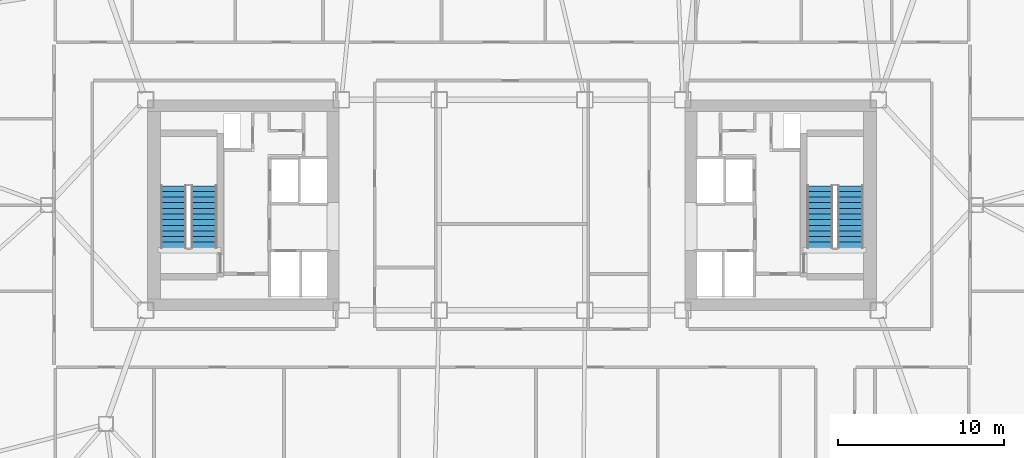
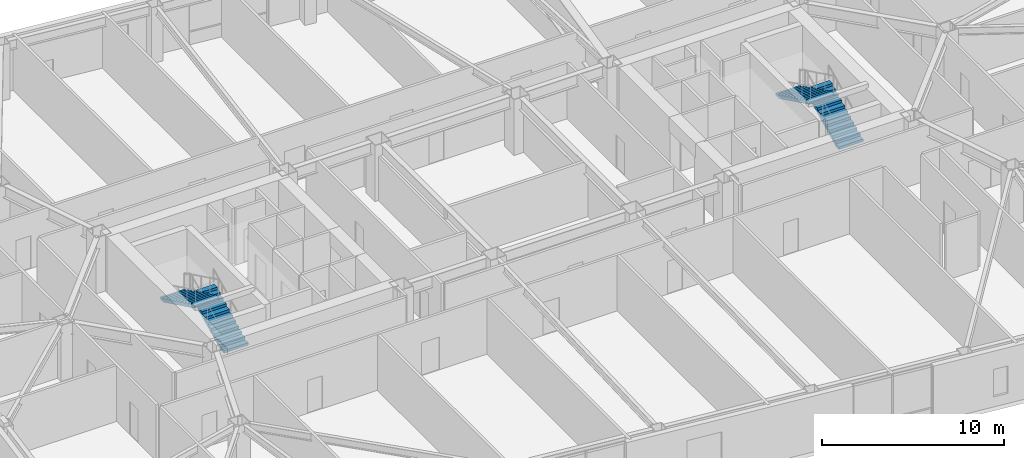
# One storey, part 18 of 23: 4 stair flights, 2 elements without a shape of their own.
"""IFC4 building model written with IfcOpenShell, lengths in metres."""

from ifc_helpers import new_model, si_unit, direction, frame, origin, place, context, subcontext, project, spatial, polyline, outline, extrude, material, type_object, element, aggregate, save


model = new_model("IFC4")

# Units and contexts
model_context = context("Model", 3, precision=1e-05, world=origin(), true_north=direction((0.0, 1.0)))
body_context = subcontext(model_context, "Body", "Model", "MODEL_VIEW")
ifc_project = project(units=[si_unit("LENGTHUNIT", "METRE"), si_unit("AREAUNIT", "SQUARE_METRE"), si_unit("VOLUMEUNIT", "CUBIC_METRE"), si_unit("PLANEANGLEUNIT", "RADIAN"), si_unit("MASSUNIT", "GRAM", prefix="KILO")], contexts=[model_context])

# Site, building, storey
site_placement = place(None, origin())
site = spatial("IfcSite", under=ifc_project, at=site_placement, CompositionType="ELEMENT")
building_placement = place(site_placement, origin())
building = spatial("IfcBuilding", under=site, at=building_placement, Name="Tavrogorsk Clinical Tower", CompositionType="ELEMENT")
storey_placement = place(building_placement, frame((0.0, 0.0, 113.39990234375)))
storey = spatial("IfcBuildingStorey", under=building, at=storey_placement, Name="L25", CompositionType="ELEMENT", Elevation=113.39990234375)

# Stair, stair flights
ifc_material_1 = material(Name="Concrete B60", Category="concrete")
stair_type = type_object("IfcStairType", Name="CoreStairAssembly", PredefinedType="HALF_TURN_STAIR", material=ifc_material_1)
stair_1_placement = place(storey_placement, origin())
stair_1 = element("IfcStair", 1, at=stair_1_placement, inside=storey, type_object=stair_type, Name="L25 ST-W", PredefinedType="HALF_TURN_STAIR")
ifc_material_2 = material(Name="Concrete B60", Category="concrete")
stair_flight_type = type_object("IfcStairFlightType", Name="CoreStairFlight", PredefinedType="STRAIGHT", material=ifc_material_2)
stair_flight_1_placement = place(storey_placement, frame((-18.574951171875, -2.574951171875, 0.0), z_axis=(0.0, 0.0, 1.0), x_axis=(0.0, 1.0, 0.0)))
stair_flight_1 = element("IfcStairFlight", 2, at=stair_flight_1_placement, type_object=stair_flight_type, Name="ST-W flight 1", NumberOfRisers=12, NumberOfTreads=11, PredefinedType="STRAIGHT", RiserHeight=0.166666667, TreadLength=0.34, context=body_context, shape_type="SweptSolid", body=[
    extrude(outline(polyline([(0.0, 0.0), (0.0, 0.166748046875), (0.340087890625, 0.166748046875), (0.340087890625, 0.333251953125), (0.679931640625, 0.333251953125), (0.679931640625, 0.5), (1.02001953125, 0.5), (1.02001953125, 0.666748046875), (1.360107421875, 0.666748046875), (1.360107421875, 0.833251953125), (1.699951171875, 0.833251953125), (1.699951171875, 1.0), (2.0400390625, 1.0), (2.0400390625, 1.166748046875), (2.3798828125, 1.166748046875), (2.3798828125, 1.333251953125), (2.719970703125, 1.333251953125), (2.719970703125, 1.5), (3.06005859375, 1.5), (3.06005859375, 1.666748046875), (3.39990234375, 1.666748046875), (3.39990234375, 1.833251953125), (3.739990234375, 1.833251953125), (3.739990234375, 2.0), (3.739990234375, 1.66650390625), (0.340576171875, 0.0), (0.0, 0.0)])), frame((0.0, 0.77490234375, 0.0), z_axis=(0.0, -1.0, 0.0), x_axis=(1.0, 0.0, 0.0)), (0.0, 0.0, 1.0), 1.550048828125),
])
stair_flight_2_placement = place(storey_placement, frame((-20.425048828125, 1.1650390625, 2.0), z_axis=(0.0, 0.0, 1.0), x_axis=(0.0, -1.0, 0.0)))
stair_flight_2 = element("IfcStairFlight", 3, at=stair_flight_2_placement, type_object=stair_flight_type, Name="ST-W flight 2", NumberOfRisers=12, NumberOfTreads=11, PredefinedType="STRAIGHT", RiserHeight=0.166666667, TreadLength=0.34, context=body_context, shape_type="SweptSolid", body=[
    extrude(outline(polyline([(0.0, 0.0), (0.0, 0.166748046875), (0.340087890625, 0.166748046875), (0.340087890625, 0.333251953125), (0.679931640625, 0.333251953125), (0.679931640625, 0.5), (1.02001953125, 0.5), (1.02001953125, 0.666748046875), (1.360107421875, 0.666748046875), (1.360107421875, 0.833251953125), (1.699951171875, 0.833251953125), (1.699951171875, 1.0), (2.0400390625, 1.0), (2.0400390625, 1.166748046875), (2.3798828125, 1.166748046875), (2.3798828125, 1.333251953125), (2.719970703125, 1.333251953125), (2.719970703125, 1.5), (3.06005859375, 1.5), (3.06005859375, 1.666748046875), (3.39990234375, 1.666748046875), (3.39990234375, 1.833251953125), (3.739990234375, 1.833251953125), (3.739990234375, 2.0), (3.739990234375, 1.66650390625), (0.340576171875, 0.0), (0.0, 0.0)])), frame((0.0, 0.77490234375, 0.0), z_axis=(0.0, -1.0, 0.0), x_axis=(1.0, 0.0, 0.0)), (0.0, 0.0, 1.0), 1.550048828125),
])
aggregate(stair_1, [stair_flight_1, stair_flight_2])

stair_2_placement = place(storey_placement, origin())
stair_2 = element("IfcStair", 4, at=stair_2_placement, inside=storey, type_object=stair_type, Name="L25 ST-E", PredefinedType="HALF_TURN_STAIR")
stair_flight_3_placement = place(storey_placement, frame((20.425048828125, -2.574951171875, 0.0), z_axis=(0.0, 0.0, 1.0), x_axis=(0.0, 1.0, 0.0)))
stair_flight_3 = element("IfcStairFlight", 5, at=stair_flight_3_placement, type_object=stair_flight_type, Name="ST-E flight 1", NumberOfRisers=12, NumberOfTreads=11, PredefinedType="STRAIGHT", RiserHeight=0.166666667, TreadLength=0.34, context=body_context, shape_type="SweptSolid", body=[
    extrude(outline(polyline([(0.0, 0.0), (0.0, 0.166748046875), (0.340087890625, 0.166748046875), (0.340087890625, 0.333251953125), (0.679931640625, 0.333251953125), (0.679931640625, 0.5), (1.02001953125, 0.5), (1.02001953125, 0.666748046875), (1.360107421875, 0.666748046875), (1.360107421875, 0.833251953125), (1.699951171875, 0.833251953125), (1.699951171875, 1.0), (2.0400390625, 1.0), (2.0400390625, 1.166748046875), (2.3798828125, 1.166748046875), (2.3798828125, 1.333251953125), (2.719970703125, 1.333251953125), (2.719970703125, 1.5), (3.06005859375, 1.5), (3.06005859375, 1.666748046875), (3.39990234375, 1.666748046875), (3.39990234375, 1.833251953125), (3.739990234375, 1.833251953125), (3.739990234375, 2.0), (3.739990234375, 1.66650390625), (0.340576171875, 0.0), (0.0, 0.0)])), frame((0.0, 0.77490234375, 0.0), z_axis=(0.0, -1.0, 0.0), x_axis=(1.0, 0.0, 0.0)), (0.0, 0.0, 1.0), 1.550048828125),
])
stair_flight_4_placement = place(storey_placement, frame((18.574951171875, 1.1650390625, 2.0), z_axis=(0.0, 0.0, 1.0), x_axis=(0.0, -1.0, 0.0)))
stair_flight_4 = element("IfcStairFlight", 6, at=stair_flight_4_placement, type_object=stair_flight_type, Name="ST-E flight 2", NumberOfRisers=12, NumberOfTreads=11, PredefinedType="STRAIGHT", RiserHeight=0.166666667, TreadLength=0.34, context=body_context, shape_type="SweptSolid", body=[
    extrude(outline(polyline([(0.0, 0.0), (0.0, 0.166748046875), (0.340087890625, 0.166748046875), (0.340087890625, 0.333251953125), (0.679931640625, 0.333251953125), (0.679931640625, 0.5), (1.02001953125, 0.5), (1.02001953125, 0.666748046875), (1.360107421875, 0.666748046875), (1.360107421875, 0.833251953125), (1.699951171875, 0.833251953125), (1.699951171875, 1.0), (2.0400390625, 1.0), (2.0400390625, 1.166748046875), (2.3798828125, 1.166748046875), (2.3798828125, 1.333251953125), (2.719970703125, 1.333251953125), (2.719970703125, 1.5), (3.06005859375, 1.5), (3.06005859375, 1.666748046875), (3.39990234375, 1.666748046875), (3.39990234375, 1.833251953125), (3.739990234375, 1.833251953125), (3.739990234375, 2.0), (3.739990234375, 1.66650390625), (0.340576171875, 0.0), (0.0, 0.0)])), frame((0.0, 0.77490234375, 0.0), z_axis=(0.0, -1.0, 0.0), x_axis=(1.0, 0.0, 0.0)), (0.0, 0.0, 1.0), 1.550048828125),
])
aggregate(stair_2, [stair_flight_3, stair_flight_4])

save(model, "model.ifc")
